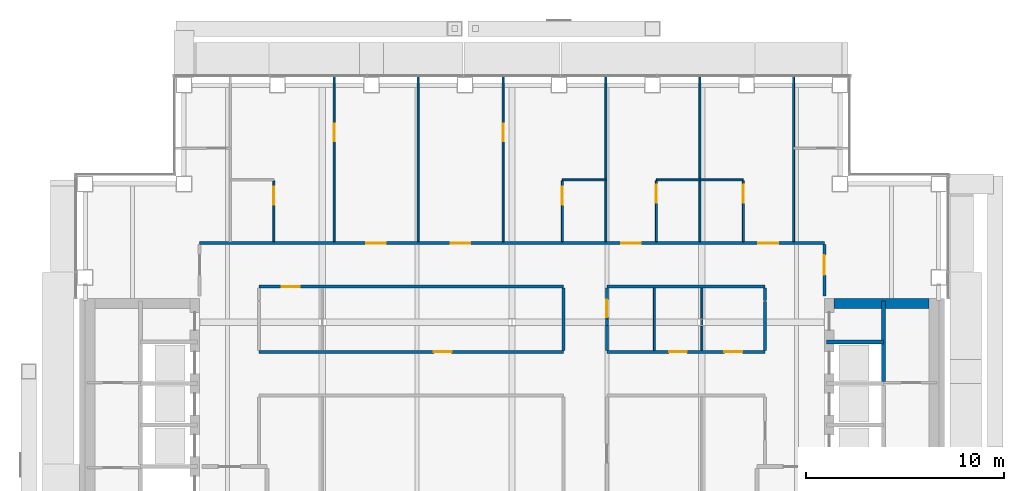
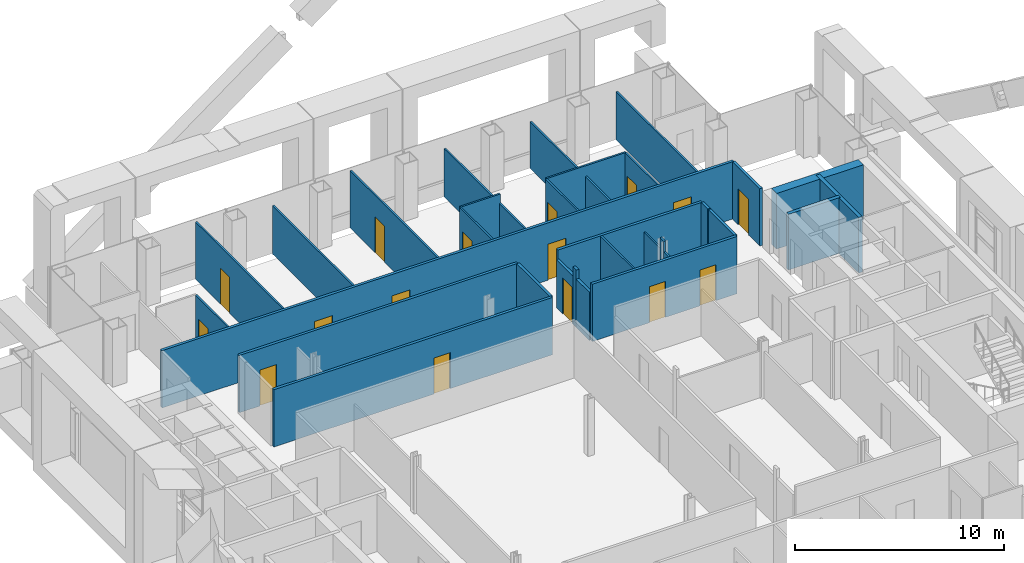
# One storey, part 15 of 22: 32 walls, 16 doors, 16 openings.
"""IFC4 building model written with IfcOpenShell, lengths in metres."""

from ifc_helpers import new_model, si_unit, direction, frame, frame_2d, origin, place, context, subcontext, project, spatial, rectangle, extrude, material, layer, layer_set, type_object, element, fill, save


model = new_model("IFC4")

# Units and contexts
model_context = context("Model", 3, precision=1e-05, world=origin(), true_north=direction((0.0, 1.0)))
body_context = subcontext(model_context, "Body", "Model", "MODEL_VIEW")
ifc_project = project(units=[si_unit("LENGTHUNIT", "METRE"), si_unit("AREAUNIT", "SQUARE_METRE"), si_unit("VOLUMEUNIT", "CUBIC_METRE"), si_unit("PLANEANGLEUNIT", "RADIAN"), si_unit("MASSUNIT", "GRAM", prefix="KILO")], contexts=[model_context])

# Site, building, storey
site_placement = place(None, origin())
site = spatial("IfcSite", under=ifc_project, at=site_placement, CompositionType="ELEMENT")
building_placement = place(site_placement, origin())
building = spatial("IfcBuilding", under=site, at=building_placement, Name="Cobrizo Arcos Hotel Tower", CompositionType="ELEMENT")
storey_placement = place(building_placement, frame((0.0, 0.0, 162.0)))
storey = spatial("IfcBuildingStorey", under=building, at=storey_placement, Name="L41", CompositionType="ELEMENT", Elevation=162.0)

# Wall, opening, door
ifc_material_1 = material(Name="Gypsum board partition")
ifc_layer_1 = layer(ifc_material_1, 0.14990234375)
ifc_layer_set_1 = layer_set([ifc_layer_1], Name="Corridor wall EI 60 150")
wall_type_1 = type_object("IfcWallType", Name="Corridor wall EI 60 150", PredefinedType="PARTITIONING", material=ifc_layer_set_1)
wall_1_placement = place(storey_placement, frame((-12.800048828125, 8.10009765625, 0.0), z_axis=(0.0, 0.0, 1.0), x_axis=(1.0, 0.0, 0.0)))
wall_1 = element("IfcWall", 1, at=wall_1_placement, inside=storey, type_object=wall_type_1, Name="Partition 035", PredefinedType="PARTITIONING", context=body_context, shape_type="SweptSolid", body=[
    extrude(rectangle(XDim=15.400146484375, YDim=0.14990234375, at=frame_2d((7.7001953125, 0.0))), origin(), (0.0, 0.0, 1.0), 3.35009765625),
])
opening_1_placement = place(wall_1_placement, frame((8.85009765625, 0.0, 0.0)))
opening_1 = element("IfcOpeningElement", 2, at=opening_1_placement, cuts=wall_1, Name="Opening RD-16", PredefinedType="OPENING", context=body_context, shape_type="SweptSolid", body=[
    extrude(rectangle(XDim=0.89990234375, YDim=2.10009765625, at=frame_2d((0.449951171875, 1.050048828125))), frame((0.0, 0.0869140625, 0.0), z_axis=(0.0, -1.0, 0.0), x_axis=(1.0, 0.0, 0.0)), (0.0, 0.0, 1.0), 0.173828125),
])
ifc_material_2 = material(Name="Timber door leaf", Category="wood")
door_type_1 = type_object("IfcDoorType", Name="Room door FD30 900x2100", OperationType="SINGLE_SWING_LEFT", PredefinedType="DOOR", material=ifc_material_2)
door_1_placement = place(opening_1_placement, origin())
door_1 = element("IfcDoor", 3, at=door_1_placement, inside=storey, type_object=door_type_1, Name="Door RD-16", OperationType="SINGLE_SWING_LEFT", OverallHeight=2.10009765625, OverallWidth=0.89990234375, PredefinedType="DOOR", context=body_context, shape_type="SweptSolid", body=[
    extrude(rectangle(XDim=0.89990234375, YDim=2.10009765625, at=frame_2d((0.449951171875, 1.050048828125))), frame((0.0, 0.02490234375, 0.0), z_axis=(0.0, -1.0, 0.0), x_axis=(1.0, 0.0, 0.0)), (0.0, 0.0, 1.0), 0.050048828125),
])
fill(opening_1, door_1)

# Wall, openings, doors
wall_2_placement = place(storey_placement, frame((4.800048828125, 8.10009765625, 0.0), z_axis=(0.0, 0.0, 1.0), x_axis=(1.0, 0.0, 0.0)))
wall_2 = element("IfcWall", 4, at=wall_2_placement, inside=storey, type_object=wall_type_1, Name="Partition 036", PredefinedType="PARTITIONING", context=body_context, shape_type="SweptSolid", body=[
    extrude(rectangle(XDim=8.0, YDim=0.14990234375, at=frame_2d((4.0, 0.0))), origin(), (0.0, 0.0, 1.0), 3.35009765625),
])
opening_2_placement = place(wall_2_placement, frame((5.949951171875, 0.0, 0.0)))
opening_2 = element("IfcOpeningElement", 5, at=opening_2_placement, cuts=wall_2, Name="Opening RD-11", PredefinedType="OPENING", context=body_context, shape_type="SweptSolid", body=[
    extrude(rectangle(XDim=0.89990234375, YDim=2.10009765625, at=frame_2d((0.449951171875, 1.050048828125))), frame((0.0, 0.0869140625, 0.0), z_axis=(0.0, -1.0, 0.0), x_axis=(1.0, 0.0, 0.0)), (0.0, 0.0, 1.0), 0.173828125),
])
opening_3_placement = place(wall_2_placement, frame((3.14990234375, 0.0, 0.0)))
opening_3 = element("IfcOpeningElement", 6, at=opening_3_placement, cuts=wall_2, Name="Opening ED-15", PredefinedType="OPENING", context=body_context, shape_type="SweptSolid", body=[
    extrude(rectangle(XDim=0.89990234375, YDim=2.10009765625, at=frame_2d((0.449951171875, 1.050048828125))), frame((0.0, 0.0869140625, 0.0), z_axis=(0.0, -1.0, 0.0), x_axis=(1.0, 0.0, 0.0)), (0.0, 0.0, 1.0), 0.173828125),
])
door_type_2 = type_object("IfcDoorType", Name="En-suite door 900x2100", OperationType="SINGLE_SWING_LEFT", PredefinedType="DOOR", material=ifc_material_2)
door_2_placement = place(opening_3_placement, origin())
door_2 = element("IfcDoor", 7, at=door_2_placement, inside=storey, type_object=door_type_2, Name="Door ED-15", OperationType="SINGLE_SWING_LEFT", OverallHeight=2.10009765625, OverallWidth=0.89990234375, PredefinedType="DOOR", context=body_context, shape_type="SweptSolid", body=[
    extrude(rectangle(XDim=0.89990234375, YDim=2.10009765625, at=frame_2d((0.449951171875, 1.050048828125))), frame((0.0, 0.02490234375, 0.0), z_axis=(0.0, -1.0, 0.0), x_axis=(1.0, 0.0, 0.0)), (0.0, 0.0, 1.0), 0.050048828125),
])
fill(opening_3, door_2)
door_3_placement = place(opening_2_placement, origin())
door_3 = element("IfcDoor", 8, at=door_3_placement, inside=storey, type_object=door_type_1, Name="Door RD-11", OperationType="SINGLE_SWING_LEFT", OverallHeight=2.10009765625, OverallWidth=0.89990234375, PredefinedType="DOOR", context=body_context, shape_type="SweptSolid", body=[
    extrude(rectangle(XDim=0.89990234375, YDim=2.10009765625, at=frame_2d((0.449951171875, 1.050048828125))), frame((0.0, 0.02490234375, 0.0), z_axis=(0.0, -1.0, 0.0), x_axis=(1.0, 0.0, 0.0)), (0.0, 0.0, 1.0), 0.050048828125),
])
fill(opening_2, door_3)

# Wall, opening, door
wall_3_placement = place(storey_placement, frame((-12.800048828125, 11.39990234375, 0.0), z_axis=(0.0, 0.0, 1.0), x_axis=(1.0, 0.0, 0.0)))
wall_3 = element("IfcWall", 9, at=wall_3_placement, inside=storey, type_object=wall_type_1, Name="Partition 039", PredefinedType="PARTITIONING", context=body_context, shape_type="SweptSolid", body=[
    extrude(rectangle(XDim=15.400146484375, YDim=0.14990234375, at=frame_2d((7.7001953125, 0.0))), origin(), (0.0, 0.0, 1.0), 3.35009765625),
])
opening_4_placement = place(wall_3_placement, frame((1.14990234375, 0.0, 0.0)))
opening_4 = element("IfcOpeningElement", 10, at=opening_4_placement, cuts=wall_3, Name="Opening RD-12", PredefinedType="OPENING", context=body_context, shape_type="SweptSolid", body=[
    extrude(rectangle(XDim=0.89990234375, YDim=2.10009765625, at=frame_2d((0.449951171875, 1.050048828125))), frame((0.0, 0.0869140625, 0.0), z_axis=(0.0, -1.0, 0.0), x_axis=(1.0, 0.0, 0.0)), (0.0, 0.0, 1.0), 0.173828125),
])
door_4_placement = place(opening_4_placement, origin())
door_4 = element("IfcDoor", 11, at=door_4_placement, inside=storey, type_object=door_type_1, Name="Door RD-12", OperationType="SINGLE_SWING_LEFT", OverallHeight=2.10009765625, OverallWidth=0.89990234375, PredefinedType="DOOR", context=body_context, shape_type="SweptSolid", body=[
    extrude(rectangle(XDim=0.89990234375, YDim=2.10009765625, at=frame_2d((0.449951171875, 1.050048828125))), frame((0.0, 0.02490234375, 0.0), z_axis=(0.0, -1.0, 0.0), x_axis=(1.0, 0.0, 0.0)), (0.0, 0.0, 1.0), 0.050048828125),
])
fill(opening_4, door_4)

# Wall
wall_4_placement = place(storey_placement, frame((4.800048828125, 11.39990234375, 0.0), z_axis=(0.0, 0.0, 1.0), x_axis=(1.0, 0.0, 0.0)))
element("IfcWall", 12, at=wall_4_placement, inside=storey, type_object=wall_type_1, Name="Partition 040", PredefinedType="PARTITIONING", context=body_context, shape_type="SweptSolid", body=[
    extrude(rectangle(XDim=8.0, YDim=0.14990234375, at=frame_2d((4.0, 0.0))), origin(), (0.0, 0.0, 1.0), 3.35009765625),
])

# Wall, openings, doors
wall_5_placement = place(storey_placement, frame((-15.800048828125, 13.60009765625, 0.0), z_axis=(0.0, 0.0, 1.0), x_axis=(1.0, 0.0, 0.0)))
wall_5 = element("IfcWall", 13, at=wall_5_placement, inside=storey, type_object=wall_type_1, Name="Partition 041", PredefinedType="PARTITIONING", context=body_context, shape_type="SweptSolid", body=[
    extrude(rectangle(XDim=31.60009765625, YDim=0.14990234375, at=frame_2d((15.800048828125, 0.0))), origin(), (0.0, 0.0, 1.0), 3.35009765625),
])
opening_5_placement = place(wall_5_placement, frame((8.422119140625, 0.0, 0.0)))
opening_5 = element("IfcOpeningElement", 14, at=opening_5_placement, cuts=wall_5, Name="Opening GD-01", PredefinedType="OPENING", context=body_context, shape_type="SweptSolid", body=[
    extrude(rectangle(XDim=1.0, YDim=2.10009765625, at=frame_2d((0.5, 1.050048828125))), frame((0.0, 0.0869140625, 0.0), z_axis=(0.0, -1.0, 0.0), x_axis=(1.0, 0.0, 0.0)), (0.0, 0.0, 1.0), 0.173828125),
])
opening_6_placement = place(wall_5_placement, frame((12.69189453125, 0.0, 0.0)))
opening_6 = element("IfcOpeningElement", 15, at=opening_6_placement, cuts=wall_5, Name="Opening GD-02", PredefinedType="OPENING", context=body_context, shape_type="SweptSolid", body=[
    extrude(rectangle(XDim=1.0, YDim=2.10009765625, at=frame_2d((0.5, 1.050048828125))), frame((0.0, 0.0869140625, 0.0), z_axis=(0.0, -1.0, 0.0), x_axis=(1.0, 0.0, 0.0)), (0.0, 0.0, 1.0), 0.173828125),
])
opening_7_placement = place(wall_5_placement, frame((21.31494140625, 0.0, 0.0)))
opening_7 = element("IfcOpeningElement", 16, at=opening_7_placement, cuts=wall_5, Name="Opening GD-03", PredefinedType="OPENING", context=body_context, shape_type="SweptSolid", body=[
    extrude(rectangle(XDim=1.0, YDim=2.10009765625, at=frame_2d((0.5, 1.050048828125))), frame((0.0, 0.0869140625, 0.0), z_axis=(0.0, -1.0, 0.0), x_axis=(1.0, 0.0, 0.0)), (0.0, 0.0, 1.0), 0.173828125),
])
opening_8_placement = place(wall_5_placement, frame((28.258056640625, 0.0, 0.0)))
opening_8 = element("IfcOpeningElement", 17, at=opening_8_placement, cuts=wall_5, Name="Opening GD-04", PredefinedType="OPENING", context=body_context, shape_type="SweptSolid", body=[
    extrude(rectangle(XDim=1.0, YDim=2.10009765625, at=frame_2d((0.5, 1.050048828125))), frame((0.0, 0.0869140625, 0.0), z_axis=(0.0, -1.0, 0.0), x_axis=(1.0, 0.0, 0.0)), (0.0, 0.0, 1.0), 0.173828125),
])
door_type_3 = type_object("IfcDoorType", Name="Guest room door FD30S 1000x2100", OperationType="SINGLE_SWING_LEFT", PredefinedType="DOOR", material=ifc_material_2)
door_5_placement = place(opening_5_placement, origin())
door_5 = element("IfcDoor", 18, at=door_5_placement, inside=storey, type_object=door_type_3, Name="Door GD-01", OperationType="SINGLE_SWING_LEFT", OverallHeight=2.10009765625, OverallWidth=1.0, PredefinedType="DOOR", context=body_context, shape_type="SweptSolid", body=[
    extrude(rectangle(XDim=1.0, YDim=2.10009765625, at=frame_2d((0.5, 1.050048828125))), frame((0.0, 0.02490234375, 0.0), z_axis=(0.0, -1.0, 0.0), x_axis=(1.0, 0.0, 0.0)), (0.0, 0.0, 1.0), 0.050048828125),
])
fill(opening_5, door_5)
door_6_placement = place(opening_6_placement, origin())
door_6 = element("IfcDoor", 19, at=door_6_placement, inside=storey, type_object=door_type_3, Name="Door GD-02", OperationType="SINGLE_SWING_RIGHT", OverallHeight=2.10009765625, OverallWidth=1.0, PredefinedType="DOOR", context=body_context, shape_type="SweptSolid", body=[
    extrude(rectangle(XDim=1.0, YDim=2.10009765625, at=frame_2d((0.5, 1.050048828125))), frame((0.0, 0.02490234375, 0.0), z_axis=(0.0, -1.0, 0.0), x_axis=(1.0, 0.0, 0.0)), (0.0, 0.0, 1.0), 0.050048828125),
])
fill(opening_6, door_6)
door_7_placement = place(opening_7_placement, origin())
door_7 = element("IfcDoor", 20, at=door_7_placement, inside=storey, type_object=door_type_3, Name="Door GD-03", OperationType="SINGLE_SWING_RIGHT", OverallHeight=2.10009765625, OverallWidth=1.0, PredefinedType="DOOR", context=body_context, shape_type="SweptSolid", body=[
    extrude(rectangle(XDim=1.0, YDim=2.10009765625, at=frame_2d((0.5, 1.050048828125))), frame((0.0, 0.02490234375, 0.0), z_axis=(0.0, -1.0, 0.0), x_axis=(1.0, 0.0, 0.0)), (0.0, 0.0, 1.0), 0.050048828125),
])
fill(opening_7, door_7)
door_8_placement = place(opening_8_placement, origin())
door_8 = element("IfcDoor", 21, at=door_8_placement, inside=storey, type_object=door_type_3, Name="Door GD-04", OperationType="SINGLE_SWING_RIGHT", OverallHeight=2.10009765625, OverallWidth=1.0, PredefinedType="DOOR", context=body_context, shape_type="SweptSolid", body=[
    extrude(rectangle(XDim=1.0, YDim=2.10009765625, at=frame_2d((0.5, 1.050048828125))), frame((0.0, 0.02490234375, 0.0), z_axis=(0.0, -1.0, 0.0), x_axis=(1.0, 0.0, 0.0)), (0.0, 0.0, 1.0), 0.050048828125),
])
fill(opening_8, door_8)

# Walls
wall_6_placement = place(storey_placement, frame((2.60009765625, 8.175048828125, 0.0), z_axis=(0.0, 0.0, 1.0), x_axis=(0.0, 1.0, 0.0)))
element("IfcWall", 22, at=wall_6_placement, inside=storey, type_object=wall_type_1, Name="Partition 080", PredefinedType="PARTITIONING", context=body_context, shape_type="SweptSolid", body=[
    extrude(rectangle(XDim=3.14990234375, YDim=0.14990234375, at=frame_2d((1.574951171875, 0.0))), origin(), (0.0, 0.0, 1.0), 3.35009765625),
])
wall_7_placement = place(storey_placement, frame((4.800048828125, 8.175048828125, 0.0), z_axis=(0.0, 0.0, 1.0), x_axis=(0.0, 1.0, 0.0)))
element("IfcWall", 23, at=wall_7_placement, inside=storey, type_object=wall_type_1, Name="Partition 087", PredefinedType="PARTITIONING", context=body_context, shape_type="SweptSolid", body=[
    extrude(rectangle(XDim=1.260986328125, YDim=0.14990234375, at=frame_2d((0.63037109375, 0.0))), origin(), (0.0, 0.0, 1.0), 2.81689453125),
])
wall_8_placement = place(storey_placement, frame((4.800048828125, 9.43603515625, 0.0), z_axis=(0.0, 0.0, 1.0), x_axis=(0.0, 1.0, 0.0)))
element("IfcWall", 24, at=wall_8_placement, inside=storey, type_object=wall_type_1, Name="Partition 088", PredefinedType="PARTITIONING", context=body_context, shape_type="SweptSolid", body=[
    extrude(rectangle(XDim=0.327880859375, YDim=0.14990234375, at=frame_2d((0.1640625, 0.0))), origin(), (0.0, 0.0, 1.0), 3.35009765625),
])

# Wall, opening, door
wall_9_placement = place(storey_placement, frame((4.800048828125, 9.763916015625, 0.0), z_axis=(0.0, 0.0, 1.0), x_axis=(0.0, 1.0, 0.0)))
wall_9 = element("IfcWall", 25, at=wall_9_placement, inside=storey, type_object=wall_type_1, Name="Partition 089", PredefinedType="PARTITIONING", context=body_context, shape_type="SweptSolid", body=[
    extrude(rectangle(XDim=1.56103515625, YDim=0.14990234375, at=frame_2d((0.780517578125, 0.0))), origin(), (0.0, 0.0, 1.0), 2.81689453125),
])
opening_9_placement = place(wall_9_placement, frame((0.080078125, 0.0, 0.0)))
opening_9 = element("IfcOpeningElement", 26, at=opening_9_placement, cuts=wall_9, Name="Opening ED-14", PredefinedType="OPENING", context=body_context, shape_type="SweptSolid", body=[
    extrude(rectangle(XDim=0.89990234375, YDim=2.10009765625, at=frame_2d((0.449951171875, 1.050048828125))), frame((0.0, 0.0869140625, 0.0), z_axis=(0.0, -1.0, 0.0), x_axis=(1.0, 0.0, 0.0)), (0.0, 0.0, 1.0), 0.173828125),
])
door_9_placement = place(opening_9_placement, origin())
door_9 = element("IfcDoor", 27, at=door_9_placement, inside=storey, type_object=door_type_2, Name="Door ED-14", OperationType="SINGLE_SWING_RIGHT", OverallHeight=2.10009765625, OverallWidth=0.89990234375, PredefinedType="DOOR", context=body_context, shape_type="SweptSolid", body=[
    extrude(rectangle(XDim=0.89990234375, YDim=2.10009765625, at=frame_2d((0.449951171875, 1.050048828125))), frame((0.0, 0.02490234375, 0.0), z_axis=(0.0, -1.0, 0.0), x_axis=(1.0, 0.0, 0.0)), (0.0, 0.0, 1.0), 0.050048828125),
])
fill(opening_9, door_9)

# Walls
wall_10_placement = place(storey_placement, frame((12.800048828125, 8.175048828125, 0.0), z_axis=(0.0, 0.0, 1.0), x_axis=(0.0, 1.0, 0.0)))
element("IfcWall", 28, at=wall_10_placement, inside=storey, type_object=wall_type_1, Name="Partition 108", PredefinedType="PARTITIONING", context=body_context, shape_type="SweptSolid", body=[
    extrude(rectangle(XDim=2.474853515625, YDim=0.14990234375, at=frame_2d((1.2373046875, 0.0))), origin(), (0.0, 0.0, 1.0), 3.35009765625),
])
wall_11_placement = place(storey_placement, frame((12.800048828125, 10.699951171875, 0.0), z_axis=(0.0, 0.0, 1.0), x_axis=(0.0, 1.0, 0.0)))
element("IfcWall", 29, at=wall_11_placement, inside=storey, type_object=wall_type_1, Name="Partition 109", PredefinedType="PARTITIONING", context=body_context, shape_type="SweptSolid", body=[
    extrude(rectangle(XDim=0.625, YDim=0.14990234375, at=frame_2d((0.3125, 0.0))), origin(), (0.0, 0.0, 1.0), 3.35009765625),
])

# Wall, opening, door
wall_12_placement = place(storey_placement, frame((15.800048828125, 10.919921875, 0.0), z_axis=(0.0, 0.0, 1.0), x_axis=(0.0, 1.0, 0.0)))
wall_12 = element("IfcWall", 30, at=wall_12_placement, inside=storey, type_object=wall_type_1, Name="Partition 113", PredefinedType="PARTITIONING", context=body_context, shape_type="SweptSolid", body=[
    extrude(rectangle(XDim=2.60498046875, YDim=0.14990234375, at=frame_2d((1.302490234375, 0.0))), origin(), (0.0, 0.0, 1.0), 3.35009765625),
])
opening_10_placement = place(wall_12_placement, frame((1.080078125, 0.0, 0.0)))
opening_10 = element("IfcOpeningElement", 31, at=opening_10_placement, cuts=wall_12, Name="Opening GD-12", PredefinedType="OPENING", context=body_context, shape_type="SweptSolid", body=[
    extrude(rectangle(XDim=1.0, YDim=2.10009765625, at=frame_2d((0.5, 1.050048828125))), frame((0.0, 0.0869140625, 0.0), z_axis=(0.0, -1.0, 0.0), x_axis=(1.0, 0.0, 0.0)), (0.0, 0.0, 1.0), 0.173828125),
])
door_10_placement = place(opening_10_placement, origin())
door_10 = element("IfcDoor", 32, at=door_10_placement, inside=storey, type_object=door_type_3, Name="Door GD-12", OperationType="SINGLE_SWING_LEFT", OverallHeight=2.10009765625, OverallWidth=1.0, PredefinedType="DOOR", context=body_context, shape_type="SweptSolid", body=[
    extrude(rectangle(XDim=1.0, YDim=2.10009765625, at=frame_2d((0.5, 1.050048828125))), frame((0.0, 0.02490234375, 0.0), z_axis=(0.0, -1.0, 0.0), x_axis=(1.0, 0.0, 0.0)), (0.0, 0.0, 1.0), 0.050048828125),
])
fill(opening_10, door_10)

# Walls
ifc_layer_2 = layer(ifc_material_1, 0.10009765625)
ifc_layer_set_2 = layer_set([ifc_layer_2], Name="Partition EI 30 100")
wall_type_2 = type_object("IfcWallType", Name="Partition EI 30 100", PredefinedType="PARTITIONING", material=ifc_layer_set_2)
wall_13_placement = place(storey_placement, frame((2.550048828125, 16.800048828125, 0.0), z_axis=(0.0, 0.0, 1.0), x_axis=(1.0, 0.0, 0.0)))
element("IfcWall", 33, at=wall_13_placement, inside=storey, type_object=wall_type_2, Name="Partition 043", PredefinedType="PARTITIONING", context=body_context, shape_type="SweptSolid", body=[
    extrude(rectangle(XDim=2.199951171875, YDim=0.10009765625, at=frame_2d((1.10009765625, 0.0))), origin(), (0.0, 0.0, 1.0), 3.35009765625),
])
wall_14_placement = place(storey_placement, frame((7.300048828125, 16.800048828125, 0.0), z_axis=(0.0, 0.0, 1.0), x_axis=(1.0, 0.0, 0.0)))
element("IfcWall", 34, at=wall_14_placement, inside=storey, type_object=wall_type_2, Name="Partition 044", PredefinedType="PARTITIONING", context=body_context, shape_type="SweptSolid", body=[
    extrude(rectangle(XDim=4.39990234375, YDim=0.10009765625, at=frame_2d((2.199951171875, 0.0))), origin(), (0.0, 0.0, 1.0), 3.35009765625),
])

# Wall, opening, door
wall_15_placement = place(storey_placement, frame((-12.050048828125, 13.675048828125, 0.0), z_axis=(0.0, 0.0, 1.0), x_axis=(0.0, 1.0, 0.0)))
wall_15 = element("IfcWall", 35, at=wall_15_placement, inside=storey, type_object=wall_type_2, Name="Partition 061", PredefinedType="PARTITIONING", context=body_context, shape_type="SweptSolid", body=[
    extrude(rectangle(XDim=3.074951171875, YDim=0.10009765625, at=frame_2d((1.53759765625, 0.0))), origin(), (0.0, 0.0, 1.0), 3.35009765625),
])
opening_11_placement = place(wall_15_placement, frame((1.875, 0.0, 0.0)))
opening_11 = element("IfcOpeningElement", 36, at=opening_11_placement, cuts=wall_15, Name="Opening ED-02", PredefinedType="OPENING", context=body_context, shape_type="SweptSolid", body=[
    extrude(rectangle(XDim=0.89990234375, YDim=2.10009765625, at=frame_2d((0.449951171875, 1.050048828125))), frame((0.0, 0.06201171875, 0.0), z_axis=(0.0, -1.0, 0.0), x_axis=(1.0, 0.0, 0.0)), (0.0, 0.0, 1.0), 0.1240234375),
])
door_11_placement = place(opening_11_placement, origin())
door_11 = element("IfcDoor", 37, at=door_11_placement, inside=storey, type_object=door_type_2, Name="Door ED-02", OperationType="SINGLE_SWING_RIGHT", OverallHeight=2.10009765625, OverallWidth=0.89990234375, PredefinedType="DOOR", context=body_context, shape_type="SweptSolid", body=[
    extrude(rectangle(XDim=0.89990234375, YDim=2.10009765625, at=frame_2d((0.449951171875, 1.050048828125))), frame((0.0, 0.02490234375, 0.0), z_axis=(0.0, -1.0, 0.0), x_axis=(1.0, 0.0, 0.0)), (0.0, 0.0, 1.0), 0.050048828125),
])
fill(opening_11, door_11)

wall_16_placement = place(storey_placement, frame((-9.0, 13.675048828125, 0.0), z_axis=(0.0, 0.0, 1.0), x_axis=(0.0, 1.0, 0.0)))
wall_16 = element("IfcWall", 38, at=wall_16_placement, inside=storey, type_object=wall_type_2, Name="Partition 071", PredefinedType="PARTITIONING", context=body_context, shape_type="SweptSolid", body=[
    extrude(rectangle(XDim=8.35498046875, YDim=0.10009765625, at=frame_2d((4.177490234375, 0.0))), origin(), (0.0, 0.0, 1.0), 3.35009765625),
])
opening_12_placement = place(wall_16_placement, frame((5.074951171875, 0.0, 0.0)))
opening_12 = element("IfcOpeningElement", 39, at=opening_12_placement, cuts=wall_16, Name="Opening RD-08", PredefinedType="OPENING", context=body_context, shape_type="SweptSolid", body=[
    extrude(rectangle(XDim=0.89990234375, YDim=2.10009765625, at=frame_2d((0.449951171875, 1.050048828125))), frame((0.0, 0.06201171875, 0.0), z_axis=(0.0, -1.0, 0.0), x_axis=(1.0, 0.0, 0.0)), (0.0, 0.0, 1.0), 0.1240234375),
])
door_12_placement = place(opening_12_placement, origin())
door_12 = element("IfcDoor", 40, at=door_12_placement, inside=storey, type_object=door_type_1, Name="Door RD-08", OperationType="SINGLE_SWING_RIGHT", OverallHeight=2.10009765625, OverallWidth=0.89990234375, PredefinedType="DOOR", context=body_context, shape_type="SweptSolid", body=[
    extrude(rectangle(XDim=0.89990234375, YDim=2.10009765625, at=frame_2d((0.449951171875, 1.050048828125))), frame((0.0, 0.02490234375, 0.0), z_axis=(0.0, -1.0, 0.0), x_axis=(1.0, 0.0, 0.0)), (0.0, 0.0, 1.0), 0.050048828125),
])
fill(opening_12, door_12)

# Wall
wall_17_placement = place(storey_placement, frame((-4.75, 13.675048828125, 0.0), z_axis=(0.0, 0.0, 1.0), x_axis=(0.0, 1.0, 0.0)))
element("IfcWall", 41, at=wall_17_placement, inside=storey, type_object=wall_type_2, Name="Partition 074", PredefinedType="PARTITIONING", context=body_context, shape_type="SweptSolid", body=[
    extrude(rectangle(XDim=8.35498046875, YDim=0.10009765625, at=frame_2d((4.177490234375, 0.0))), origin(), (0.0, 0.0, 1.0), 2.81689453125),
])

# Wall, opening, door
wall_18_placement = place(storey_placement, frame((-0.449951171875, 13.675048828125, 0.0), z_axis=(0.0, 0.0, 1.0), x_axis=(0.0, 1.0, 0.0)))
wall_18 = element("IfcWall", 42, at=wall_18_placement, inside=storey, type_object=wall_type_2, Name="Partition 075", PredefinedType="PARTITIONING", context=body_context, shape_type="SweptSolid", body=[
    extrude(rectangle(XDim=8.35498046875, YDim=0.10009765625, at=frame_2d((4.177490234375, 0.0))), origin(), (0.0, 0.0, 1.0), 3.35009765625),
])
opening_13_placement = place(wall_18_placement, frame((5.074951171875, 0.0, 0.0)))
opening_13 = element("IfcOpeningElement", 43, at=opening_13_placement, cuts=wall_18, Name="Opening RD-09", PredefinedType="OPENING", context=body_context, shape_type="SweptSolid", body=[
    extrude(rectangle(XDim=0.89990234375, YDim=2.10009765625, at=frame_2d((0.449951171875, 1.050048828125))), frame((0.0, 0.06201171875, 0.0), z_axis=(0.0, -1.0, 0.0), x_axis=(1.0, 0.0, 0.0)), (0.0, 0.0, 1.0), 0.1240234375),
])
door_13_placement = place(opening_13_placement, origin())
door_13 = element("IfcDoor", 44, at=door_13_placement, inside=storey, type_object=door_type_1, Name="Door RD-09", OperationType="SINGLE_SWING_LEFT", OverallHeight=2.10009765625, OverallWidth=0.89990234375, PredefinedType="DOOR", context=body_context, shape_type="SweptSolid", body=[
    extrude(rectangle(XDim=0.89990234375, YDim=2.10009765625, at=frame_2d((0.449951171875, 1.050048828125))), frame((0.0, 0.02490234375, 0.0), z_axis=(0.0, -1.0, 0.0), x_axis=(1.0, 0.0, 0.0)), (0.0, 0.0, 1.0), 0.050048828125),
])
fill(opening_13, door_13)

wall_19_placement = place(storey_placement, frame((2.550048828125, 13.675048828125, 0.0), z_axis=(0.0, 0.0, 1.0), x_axis=(0.0, 1.0, 0.0)))
wall_19 = element("IfcWall", 45, at=wall_19_placement, inside=storey, type_object=wall_type_2, Name="Partition 078", PredefinedType="PARTITIONING", context=body_context, shape_type="SweptSolid", body=[
    extrude(rectangle(XDim=3.074951171875, YDim=0.10009765625, at=frame_2d((1.53759765625, 0.0))), origin(), (0.0, 0.0, 1.0), 3.35009765625),
])
opening_14_placement = place(wall_19_placement, frame((1.875, 0.0, 0.0)))
opening_14 = element("IfcOpeningElement", 46, at=opening_14_placement, cuts=wall_19, Name="Opening ED-03", PredefinedType="OPENING", context=body_context, shape_type="SweptSolid", body=[
    extrude(rectangle(XDim=0.89990234375, YDim=2.10009765625, at=frame_2d((0.449951171875, 1.050048828125))), frame((0.0, 0.06201171875, 0.0), z_axis=(0.0, -1.0, 0.0), x_axis=(1.0, 0.0, 0.0)), (0.0, 0.0, 1.0), 0.1240234375),
])
door_14_placement = place(opening_14_placement, origin())
door_14 = element("IfcDoor", 47, at=door_14_placement, inside=storey, type_object=door_type_2, Name="Door ED-03", OperationType="SINGLE_SWING_LEFT", OverallHeight=2.10009765625, OverallWidth=0.89990234375, PredefinedType="DOOR", context=body_context, shape_type="SweptSolid", body=[
    extrude(rectangle(XDim=0.89990234375, YDim=2.10009765625, at=frame_2d((0.449951171875, 1.050048828125))), frame((0.0, 0.02490234375, 0.0), z_axis=(0.0, -1.0, 0.0), x_axis=(1.0, 0.0, 0.0)), (0.0, 0.0, 1.0), 0.050048828125),
])
fill(opening_14, door_14)

# Walls
wall_20_placement = place(storey_placement, frame((4.75, 13.675048828125, 0.0), z_axis=(0.0, 0.0, 1.0), x_axis=(0.0, 1.0, 0.0)))
element("IfcWall", 48, at=wall_20_placement, inside=storey, type_object=wall_type_2, Name="Partition 081", PredefinedType="PARTITIONING", context=body_context, shape_type="SweptSolid", body=[
    extrude(rectangle(XDim=8.35498046875, YDim=0.10009765625, at=frame_2d((4.177490234375, 0.0))), origin(), (0.0, 0.0, 1.0), 2.81689453125),
])
wall_21_placement = place(storey_placement, frame((7.199951171875, 8.175048828125, 0.0), z_axis=(0.0, 0.0, 1.0), x_axis=(0.0, 1.0, 0.0)))
element("IfcWall", 49, at=wall_21_placement, inside=storey, type_object=wall_type_2, Name="Partition 092", PredefinedType="PARTITIONING", context=body_context, shape_type="SweptSolid", body=[
    extrude(rectangle(XDim=3.14990234375, YDim=0.10009765625, at=frame_2d((1.574951171875, 0.0))), origin(), (0.0, 0.0, 1.0), 3.35009765625),
])

# Wall, opening, door
wall_22_placement = place(storey_placement, frame((7.300048828125, 13.675048828125, 0.0), z_axis=(0.0, 0.0, 1.0), x_axis=(0.0, 1.0, 0.0)))
wall_22 = element("IfcWall", 50, at=wall_22_placement, inside=storey, type_object=wall_type_2, Name="Partition 093", PredefinedType="PARTITIONING", context=body_context, shape_type="SweptSolid", body=[
    extrude(rectangle(XDim=3.074951171875, YDim=0.10009765625, at=frame_2d((1.53759765625, 0.0))), origin(), (0.0, 0.0, 1.0), 3.35009765625),
])
opening_15_placement = place(wall_22_placement, frame((1.970947265625, 0.0, 0.0)))
opening_15 = element("IfcOpeningElement", 51, at=opening_15_placement, cuts=wall_22, Name="Opening ED-04", PredefinedType="OPENING", context=body_context, shape_type="SweptSolid", body=[
    extrude(rectangle(XDim=0.89990234375, YDim=2.10009765625, at=frame_2d((0.449951171875, 1.050048828125))), frame((0.0, 0.06201171875, 0.0), z_axis=(0.0, -1.0, 0.0), x_axis=(1.0, 0.0, 0.0)), (0.0, 0.0, 1.0), 0.1240234375),
])
door_15_placement = place(opening_15_placement, origin())
door_15 = element("IfcDoor", 52, at=door_15_placement, inside=storey, type_object=door_type_2, Name="Door ED-04", OperationType="SINGLE_SWING_RIGHT", OverallHeight=2.10009765625, OverallWidth=0.89990234375, PredefinedType="DOOR", context=body_context, shape_type="SweptSolid", body=[
    extrude(rectangle(XDim=0.89990234375, YDim=2.10009765625, at=frame_2d((0.449951171875, 1.050048828125))), frame((0.0, 0.02490234375, 0.0), z_axis=(0.0, -1.0, 0.0), x_axis=(1.0, 0.0, 0.0)), (0.0, 0.0, 1.0), 0.050048828125),
])
fill(opening_15, door_15)

# Walls
wall_23_placement = place(storey_placement, frame((9.5, 13.675048828125, 0.0), z_axis=(0.0, 0.0, 1.0), x_axis=(0.0, 1.0, 0.0)))
element("IfcWall", 53, at=wall_23_placement, inside=storey, type_object=wall_type_2, Name="Partition 094", PredefinedType="PARTITIONING", context=body_context, shape_type="SweptSolid", body=[
    extrude(rectangle(XDim=3.074951171875, YDim=0.10009765625, at=frame_2d((1.53759765625, 0.0))), origin(), (0.0, 0.0, 1.0), 2.72802734375),
])
wall_24_placement = place(storey_placement, frame((9.5, 16.85009765625, 0.0), z_axis=(0.0, 0.0, 1.0), x_axis=(0.0, 1.0, 0.0)))
element("IfcWall", 54, at=wall_24_placement, inside=storey, type_object=wall_type_2, Name="Partition 095", PredefinedType="PARTITIONING", context=body_context, shape_type="SweptSolid", body=[
    extrude(rectangle(XDim=5.179931640625, YDim=0.10009765625, at=frame_2d((2.58984375, 0.0))), origin(), (0.0, 0.0, 1.0), 2.72802734375),
])
wall_25_placement = place(storey_placement, frame((9.60009765625, 8.175048828125, 0.0), z_axis=(0.0, 0.0, 1.0), x_axis=(0.0, 1.0, 0.0)))
element("IfcWall", 55, at=wall_25_placement, inside=storey, type_object=wall_type_2, Name="Partition 100", PredefinedType="PARTITIONING", context=body_context, shape_type="SweptSolid", body=[
    extrude(rectangle(XDim=1.238037109375, YDim=0.10009765625, at=frame_2d((0.619140625, 0.0))), origin(), (0.0, 0.0, 1.0), 2.72802734375),
])
wall_26_placement = place(storey_placement, frame((9.60009765625, 9.4130859375, 0.0), z_axis=(0.0, 0.0, 1.0), x_axis=(0.0, 1.0, 0.0)))
element("IfcWall", 56, at=wall_26_placement, inside=storey, type_object=wall_type_2, Name="Partition 101", PredefinedType="PARTITIONING", context=body_context, shape_type="SweptSolid", body=[
    extrude(rectangle(XDim=0.3740234375, YDim=0.10009765625, at=frame_2d((0.18701171875, 0.0))), origin(), (0.0, 0.0, 1.0), 3.35009765625),
])
wall_27_placement = place(storey_placement, frame((9.60009765625, 9.787109375, 0.0), z_axis=(0.0, 0.0, 1.0), x_axis=(0.0, 1.0, 0.0)))
element("IfcWall", 57, at=wall_27_placement, inside=storey, type_object=wall_type_2, Name="Partition 102", PredefinedType="PARTITIONING", context=body_context, shape_type="SweptSolid", body=[
    extrude(rectangle(XDim=1.537841796875, YDim=0.10009765625, at=frame_2d((0.76904296875, 0.0))), origin(), (0.0, 0.0, 1.0), 2.72802734375),
])

# Wall, opening, door
wall_28_placement = place(storey_placement, frame((11.699951171875, 13.675048828125, 0.0), z_axis=(0.0, 0.0, 1.0), x_axis=(0.0, 1.0, 0.0)))
wall_28 = element("IfcWall", 58, at=wall_28_placement, inside=storey, type_object=wall_type_2, Name="Partition 103", PredefinedType="PARTITIONING", context=body_context, shape_type="SweptSolid", body=[
    extrude(rectangle(XDim=3.074951171875, YDim=0.10009765625, at=frame_2d((1.53759765625, 0.0))), origin(), (0.0, 0.0, 1.0), 3.35009765625),
])
opening_16_placement = place(wall_28_placement, frame((1.970947265625, 0.0, 0.0)))
opening_16 = element("IfcOpeningElement", 59, at=opening_16_placement, cuts=wall_28, Name="Opening ED-05", PredefinedType="OPENING", context=body_context, shape_type="SweptSolid", body=[
    extrude(rectangle(XDim=0.89990234375, YDim=2.10009765625, at=frame_2d((0.449951171875, 1.050048828125))), frame((0.0, 0.06201171875, 0.0), z_axis=(0.0, -1.0, 0.0), x_axis=(1.0, 0.0, 0.0)), (0.0, 0.0, 1.0), 0.1240234375),
])
door_16_placement = place(opening_16_placement, origin())
door_16 = element("IfcDoor", 60, at=door_16_placement, inside=storey, type_object=door_type_2, Name="Door ED-05", OperationType="SINGLE_SWING_LEFT", OverallHeight=2.10009765625, OverallWidth=0.89990234375, PredefinedType="DOOR", context=body_context, shape_type="SweptSolid", body=[
    extrude(rectangle(XDim=0.89990234375, YDim=2.10009765625, at=frame_2d((0.449951171875, 1.050048828125))), frame((0.0, 0.02490234375, 0.0), z_axis=(0.0, -1.0, 0.0), x_axis=(1.0, 0.0, 0.0)), (0.0, 0.0, 1.0), 0.050048828125),
])
fill(opening_16, door_16)

# Walls
wall_29_placement = place(storey_placement, frame((14.25, 13.675048828125, 0.0), z_axis=(0.0, 0.0, 1.0), x_axis=(0.0, 1.0, 0.0)))
element("IfcWall", 61, at=wall_29_placement, inside=storey, type_object=wall_type_2, Name="Partition 111", PredefinedType="PARTITIONING", context=body_context, shape_type="SweptSolid", body=[
    extrude(rectangle(XDim=8.35498046875, YDim=0.10009765625, at=frame_2d((4.177490234375, 0.0))), origin(), (0.0, 0.0, 1.0), 2.81689453125),
])
ifc_material_3 = material(Name="Concrete f'c 50 MPa", Category="concrete")
ifc_layer_3 = layer(ifc_material_3, 0.5)
ifc_layer_set_3 = layer_set([ifc_layer_3], Name="RC core wall 500 f'c 50")
wall_type_3 = type_object("IfcWallType", Name="RC core wall 500 f'c 50", PredefinedType="SHEAR", material=ifc_layer_set_3)
wall_30_placement = place(storey_placement, frame((16.300048828125, 10.550048828125, 0.0), z_axis=(0.0, 0.0, 1.0), x_axis=(1.0, 0.0, 0.0)))
element("IfcWall", 62, at=wall_30_placement, inside=storey, type_object=wall_type_3, Name="Core wall CW3, east core, north end, L41", PredefinedType="SHEAR", context=body_context, shape_type="SweptSolid", body=[
    extrude(rectangle(XDim=4.800048828125, YDim=0.5, at=frame_2d((2.39990234375, 0.0))), origin(), (0.0, 0.0, 1.0), 3.25),
])
ifc_layer_4 = layer(ifc_material_1, 0.199951171875)
ifc_layer_set_4 = layer_set([ifc_layer_4], Name="Shaft wall EI 120 200")
wall_type_4 = type_object("IfcWallType", Name="Shaft wall EI 120 200", PredefinedType="PARTITIONING", material=ifc_layer_set_4)
wall_31_placement = place(storey_placement, frame((15.919921875, 8.60009765625, 0.0), z_axis=(0.0, 0.0, 1.0), x_axis=(1.0, 0.0, 0.0)))
element("IfcWall", 63, at=wall_31_placement, inside=storey, type_object=wall_type_4, Name="Partition 038", PredefinedType="PARTITIONING", context=body_context, shape_type="SweptSolid", body=[
    extrude(rectangle(XDim=2.880126953125, YDim=0.199951171875, at=frame_2d((1.43994140625, 0.0))), origin(), (0.0, 0.0, 1.0), 3.25),
])
wall_32_placement = place(storey_placement, frame((18.800048828125, 6.60009765625, 0.0), z_axis=(0.0, 0.0, 1.0), x_axis=(0.0, 1.0, 0.0)))
element("IfcWall", 64, at=wall_32_placement, inside=storey, type_object=wall_type_4, Name="Partition 116", PredefinedType="PARTITIONING", context=body_context, shape_type="SweptSolid", body=[
    extrude(rectangle(XDim=4.079833984375, YDim=0.199951171875, at=frame_2d((2.0400390625, 0.0))), origin(), (0.0, 0.0, 1.0), 3.25),
])

save(model, "model.ifc")
